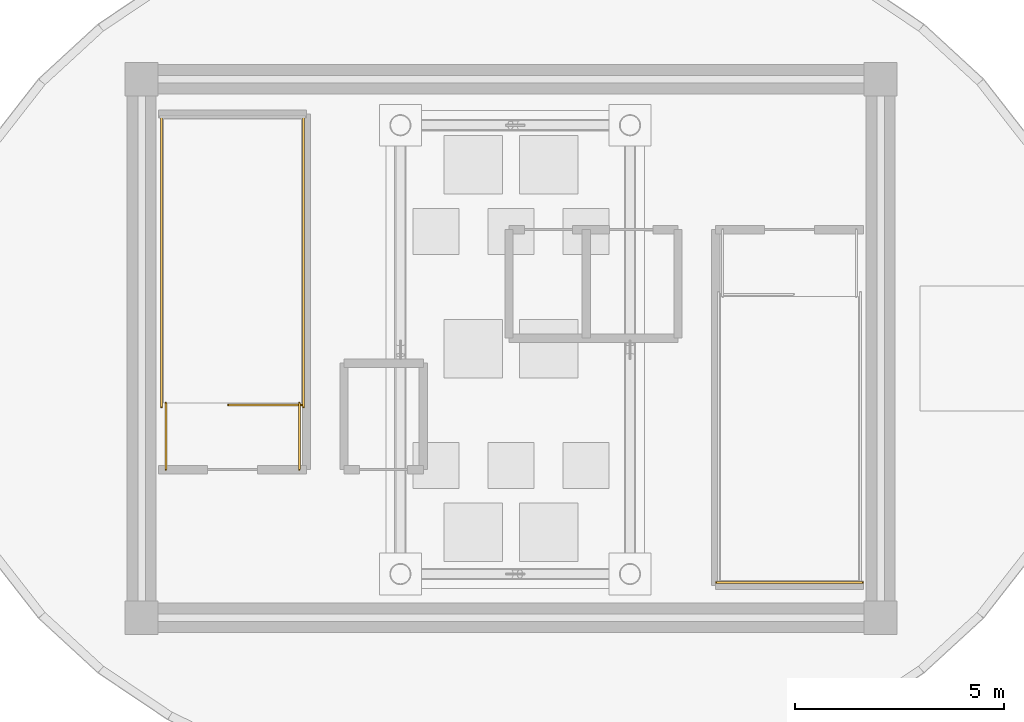
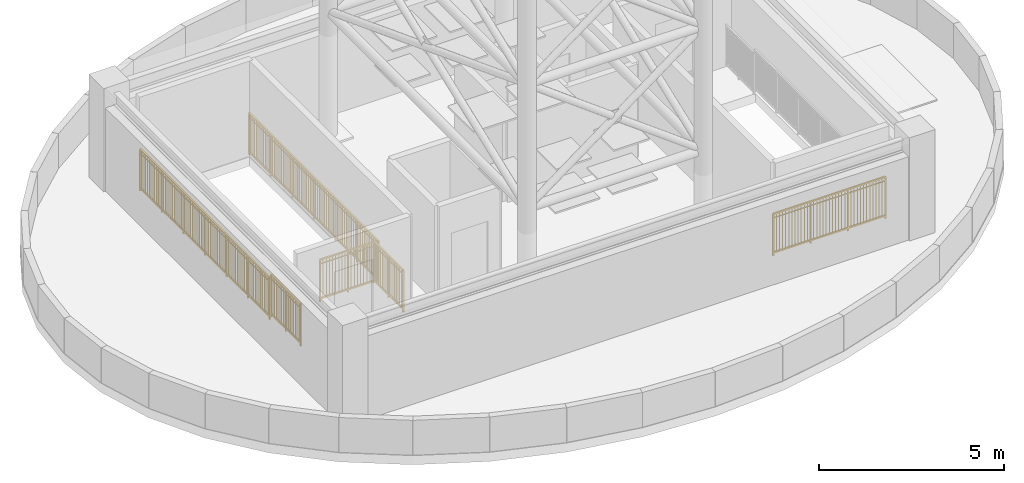
# One storey, part 5 of 6: 6 railings.
"""IFC4 building model written with IfcOpenShell, lengths in metres."""

from ifc_helpers import new_model, si_unit, direction, frame, origin, origin_2d, place, context, subcontext, project, spatial, rectangle, extrude, source, transform, mapped, material, type_object, element, save


model = new_model("IFC4")

# Units and contexts
model_context = context("Model", 3, precision=1e-05, world=origin(), true_north=direction((0.0, 1.0)))
body_context = subcontext(model_context, "Body", "Model", "MODEL_VIEW")
ifc_project = project(units=[si_unit("LENGTHUNIT", "METRE"), si_unit("AREAUNIT", "SQUARE_METRE"), si_unit("VOLUMEUNIT", "CUBIC_METRE"), si_unit("PLANEANGLEUNIT", "RADIAN"), si_unit("MASSUNIT", "GRAM", prefix="KILO")], contexts=[model_context])

# Site, building, storey
site_placement = place(None, origin())
site = spatial("IfcSite", under=ifc_project, at=site_placement, CompositionType="ELEMENT")
building_placement = place(site_placement, origin())
building = spatial("IfcBuilding", under=site, at=building_placement, Name="Linh Dai School and Residence Tower", CompositionType="ELEMENT")
storey_placement = place(building_placement, frame((0.0, 0.0, 373.199951171875)))
storey = spatial("IfcBuildingStorey", under=building, at=storey_placement, Name="RF", CompositionType="ELEMENT", Elevation=373.199951171875)

# Railings
ifc_material = material(Name="Structural Steel S355JR", Category="steel")
railing_type = type_object("IfcRailingType", Name="RL-ST-GUARD-1400", PredefinedType="GUARDRAIL", material=ifc_material)
shared_shape_1 = source(origin(), body_context, "Body", "SweptSolid", [
    extrude(rectangle(XDim=0.048095703125, YDim=0.048095703125, at=origin_2d()), frame((0.0, 0.0, 1.3759765625), z_axis=(0.0, 1.0, 0.0), x_axis=(-1.0, 0.0, 0.0)), (0.0, 0.0, 1.0), 1.599853515625),
    extrude(rectangle(XDim=0.048095703125, YDim=0.048095703125, at=origin_2d()), frame((0.0, 0.0, 0.10009765625), z_axis=(0.0, 1.0, 0.0), x_axis=(-1.0, 0.0, 0.0)), (0.0, 0.0, 1.0), 1.599853515625),
    extrude(rectangle(XDim=0.030029296875, YDim=0.030029296875, at=origin_2d()), frame((0.0, 0.0, 1.239990234375), z_axis=(0.0, 1.0, 0.0), x_axis=(-1.0, 0.0, 0.0)), (0.0, 0.0, 1.0), 1.599853515625),
    extrude(rectangle(XDim=0.02001953125, YDim=0.02001953125, at=origin_2d()), frame((0.0, 0.093994140625, 0.10009765625)), (0.0, 0.0, 1.0), 1.251708984375),
    extrude(rectangle(XDim=0.02001953125, YDim=0.02001953125, at=origin_2d()), frame((0.0, 0.188232421875, 0.10009765625)), (0.0, 0.0, 1.0), 1.251708984375),
    extrude(rectangle(XDim=0.02001953125, YDim=0.02001953125, at=origin_2d()), frame((0.0, 0.2822265625, 0.10009765625)), (0.0, 0.0, 1.0), 1.251708984375),
    extrude(rectangle(XDim=0.02001953125, YDim=0.02001953125, at=origin_2d()), frame((0.0, 0.37646484375, 0.10009765625)), (0.0, 0.0, 1.0), 1.251708984375),
    extrude(rectangle(XDim=0.02001953125, YDim=0.02001953125, at=origin_2d()), frame((0.0, 0.470458984375, 0.10009765625)), (0.0, 0.0, 1.0), 1.251708984375),
    extrude(rectangle(XDim=0.02001953125, YDim=0.02001953125, at=origin_2d()), frame((0.0, 0.564697265625, 0.10009765625)), (0.0, 0.0, 1.0), 1.251708984375),
    extrude(rectangle(XDim=0.02001953125, YDim=0.02001953125, at=origin_2d()), frame((0.0, 0.65869140625, 0.10009765625)), (0.0, 0.0, 1.0), 1.251708984375),
    extrude(rectangle(XDim=0.02001953125, YDim=0.02001953125, at=origin_2d()), frame((0.0, 0.7529296875, 0.10009765625)), (0.0, 0.0, 1.0), 1.251708984375),
    extrude(rectangle(XDim=0.02001953125, YDim=0.02001953125, at=origin_2d()), frame((0.0, 0.846923828125, 0.10009765625)), (0.0, 0.0, 1.0), 1.251708984375),
    extrude(rectangle(XDim=0.02001953125, YDim=0.02001953125, at=origin_2d()), frame((0.0, 0.941162109375, 0.10009765625)), (0.0, 0.0, 1.0), 1.251708984375),
    extrude(rectangle(XDim=0.02001953125, YDim=0.02001953125, at=origin_2d()), frame((0.0, 1.03515625, 0.10009765625)), (0.0, 0.0, 1.0), 1.251708984375),
    extrude(rectangle(XDim=0.02001953125, YDim=0.02001953125, at=origin_2d()), frame((0.0, 1.12939453125, 0.10009765625)), (0.0, 0.0, 1.0), 1.251708984375),
    extrude(rectangle(XDim=0.02001953125, YDim=0.02001953125, at=origin_2d()), frame((0.0, 1.223388671875, 0.10009765625)), (0.0, 0.0, 1.0), 1.251708984375),
    extrude(rectangle(XDim=0.02001953125, YDim=0.02001953125, at=origin_2d()), frame((0.0, 1.317626953125, 0.10009765625)), (0.0, 0.0, 1.0), 1.251708984375),
    extrude(rectangle(XDim=0.02001953125, YDim=0.02001953125, at=origin_2d()), frame((0.0, 1.41162109375, 0.10009765625)), (0.0, 0.0, 1.0), 1.251708984375),
    extrude(rectangle(XDim=0.02001953125, YDim=0.02001953125, at=origin_2d()), frame((0.0, 1.505859375, 0.10009765625)), (0.0, 0.0, 1.0), 1.251708984375),
    extrude(rectangle(XDim=0.0419921875, YDim=0.0419921875, at=origin_2d()), origin(), (0.0, 0.0, 1.0), 1.3759765625),
    extrude(rectangle(XDim=0.0419921875, YDim=0.0419921875, at=origin_2d()), frame((0.0, 0.7998046875, 0.0)), (0.0, 0.0, 1.0), 1.3759765625),
    extrude(rectangle(XDim=0.0419921875, YDim=0.0419921875, at=origin_2d()), frame((0.0, 1.599853515625, 0.0)), (0.0, 0.0, 1.0), 1.3759765625),
])
for number, where, name in (
    (1, (30.929931640625, 24.10009765625, 0.0), "RF ST1 top well guard 5"),
    (2, (27.72998046875, 24.10009765625, 0.0), "RF ST1 top well guard 6"),
):
    element("IfcRailing", number, at=place(storey_placement, frame(where)), inside=storey, type_object=railing_type, Name=name, PredefinedType="GUARDRAIL", context=body_context, shape_type="MappedRepresentation", body=[
        mapped(shared_shape_1, transform((0.0, 0.0, 0.0), x_axis=(1.0, 0.0, 0.0), y_axis=(0.0, 1.0, 0.0), z_axis=(0.0, 0.0, 1.0), scale=1.0)),
    ])
shared_shape_2 = source(origin(), body_context, "Body", "SweptSolid", [
    extrude(rectangle(XDim=0.048095703125, YDim=0.048095703125, at=origin_2d()), frame((0.0, 0.0, 1.3759765625), z_axis=(0.0, 1.0, 0.0), x_axis=(-1.0, 0.0, 0.0)), (0.0, 0.0, 1.0), 7.0),
    extrude(rectangle(XDim=0.048095703125, YDim=0.048095703125, at=origin_2d()), frame((0.0, 0.0, 0.10009765625), z_axis=(0.0, 1.0, 0.0), x_axis=(-1.0, 0.0, 0.0)), (0.0, 0.0, 1.0), 7.0),
    extrude(rectangle(XDim=0.030029296875, YDim=0.030029296875, at=origin_2d()), frame((0.0, 0.0, 1.239990234375), z_axis=(0.0, 1.0, 0.0), x_axis=(-1.0, 0.0, 0.0)), (0.0, 0.0, 1.0), 7.0),
    extrude(rectangle(XDim=0.02001953125, YDim=0.02001953125, at=origin_2d()), frame((0.0, 0.09716796875, 0.10009765625)), (0.0, 0.0, 1.0), 1.251708984375),
    extrude(rectangle(XDim=0.02001953125, YDim=0.02001953125, at=origin_2d()), frame((0.0, 0.1943359375, 0.10009765625)), (0.0, 0.0, 1.0), 1.251708984375),
    extrude(rectangle(XDim=0.02001953125, YDim=0.02001953125, at=origin_2d()), frame((0.0, 0.291748046875, 0.10009765625)), (0.0, 0.0, 1.0), 1.251708984375),
    extrude(rectangle(XDim=0.02001953125, YDim=0.02001953125, at=origin_2d()), frame((0.0, 0.388916015625, 0.10009765625)), (0.0, 0.0, 1.0), 1.251708984375),
    extrude(rectangle(XDim=0.02001953125, YDim=0.02001953125, at=origin_2d()), frame((0.0, 0.486083984375, 0.10009765625)), (0.0, 0.0, 1.0), 1.251708984375),
    extrude(rectangle(XDim=0.02001953125, YDim=0.02001953125, at=origin_2d()), frame((0.0, 0.583251953125, 0.10009765625)), (0.0, 0.0, 1.0), 1.251708984375),
    extrude(rectangle(XDim=0.02001953125, YDim=0.02001953125, at=origin_2d()), frame((0.0, 0.6806640625, 0.10009765625)), (0.0, 0.0, 1.0), 1.251708984375),
    extrude(rectangle(XDim=0.02001953125, YDim=0.02001953125, at=origin_2d()), frame((0.0, 0.77783203125, 0.10009765625)), (0.0, 0.0, 1.0), 1.251708984375),
    extrude(rectangle(XDim=0.02001953125, YDim=0.02001953125, at=origin_2d()), frame((0.0, 0.875, 0.10009765625)), (0.0, 0.0, 1.0), 1.251708984375),
    extrude(rectangle(XDim=0.02001953125, YDim=0.02001953125, at=origin_2d()), frame((0.0, 0.97216796875, 0.10009765625)), (0.0, 0.0, 1.0), 1.251708984375),
    extrude(rectangle(XDim=0.02001953125, YDim=0.02001953125, at=origin_2d()), frame((0.0, 1.0693359375, 0.10009765625)), (0.0, 0.0, 1.0), 1.251708984375),
    extrude(rectangle(XDim=0.02001953125, YDim=0.02001953125, at=origin_2d()), frame((0.0, 1.263916015625, 0.10009765625)), (0.0, 0.0, 1.0), 1.251708984375),
    extrude(rectangle(XDim=0.02001953125, YDim=0.02001953125, at=origin_2d()), frame((0.0, 1.361083984375, 0.10009765625)), (0.0, 0.0, 1.0), 1.251708984375),
    extrude(rectangle(XDim=0.02001953125, YDim=0.02001953125, at=origin_2d()), frame((0.0, 1.458251953125, 0.10009765625)), (0.0, 0.0, 1.0), 1.251708984375),
    extrude(rectangle(XDim=0.02001953125, YDim=0.02001953125, at=origin_2d()), frame((0.0, 1.5556640625, 0.10009765625)), (0.0, 0.0, 1.0), 1.251708984375),
    extrude(rectangle(XDim=0.02001953125, YDim=0.02001953125, at=origin_2d()), frame((0.0, 1.65283203125, 0.10009765625)), (0.0, 0.0, 1.0), 1.251708984375),
    extrude(rectangle(XDim=0.02001953125, YDim=0.02001953125, at=origin_2d()), frame((0.0, 1.75, 0.10009765625)), (0.0, 0.0, 1.0), 1.251708984375),
    extrude(rectangle(XDim=0.02001953125, YDim=0.02001953125, at=origin_2d()), frame((0.0, 1.84716796875, 0.10009765625)), (0.0, 0.0, 1.0), 1.251708984375),
    extrude(rectangle(XDim=0.02001953125, YDim=0.02001953125, at=origin_2d()), frame((0.0, 1.9443359375, 0.10009765625)), (0.0, 0.0, 1.0), 1.251708984375),
    extrude(rectangle(XDim=0.02001953125, YDim=0.02001953125, at=origin_2d()), frame((0.0, 2.041748046875, 0.10009765625)), (0.0, 0.0, 1.0), 1.251708984375),
    extrude(rectangle(XDim=0.02001953125, YDim=0.02001953125, at=origin_2d()), frame((0.0, 2.138916015625, 0.10009765625)), (0.0, 0.0, 1.0), 1.251708984375),
    extrude(rectangle(XDim=0.02001953125, YDim=0.02001953125, at=origin_2d()), frame((0.0, 2.236083984375, 0.10009765625)), (0.0, 0.0, 1.0), 1.251708984375),
    extrude(rectangle(XDim=0.02001953125, YDim=0.02001953125, at=origin_2d()), frame((0.0, 2.4306640625, 0.10009765625)), (0.0, 0.0, 1.0), 1.251708984375),
    extrude(rectangle(XDim=0.02001953125, YDim=0.02001953125, at=origin_2d()), frame((0.0, 2.52783203125, 0.10009765625)), (0.0, 0.0, 1.0), 1.251708984375),
    extrude(rectangle(XDim=0.02001953125, YDim=0.02001953125, at=origin_2d()), frame((0.0, 2.625, 0.10009765625)), (0.0, 0.0, 1.0), 1.251708984375),
    extrude(rectangle(XDim=0.02001953125, YDim=0.02001953125, at=origin_2d()), frame((0.0, 2.72216796875, 0.10009765625)), (0.0, 0.0, 1.0), 1.251708984375),
    extrude(rectangle(XDim=0.02001953125, YDim=0.02001953125, at=origin_2d()), frame((0.0, 2.8193359375, 0.10009765625)), (0.0, 0.0, 1.0), 1.251708984375),
    extrude(rectangle(XDim=0.02001953125, YDim=0.02001953125, at=origin_2d()), frame((0.0, 2.916748046875, 0.10009765625)), (0.0, 0.0, 1.0), 1.251708984375),
    extrude(rectangle(XDim=0.02001953125, YDim=0.02001953125, at=origin_2d()), frame((0.0, 3.013916015625, 0.10009765625)), (0.0, 0.0, 1.0), 1.251708984375),
    extrude(rectangle(XDim=0.02001953125, YDim=0.02001953125, at=origin_2d()), frame((0.0, 3.111083984375, 0.10009765625)), (0.0, 0.0, 1.0), 1.251708984375),
    extrude(rectangle(XDim=0.02001953125, YDim=0.02001953125, at=origin_2d()), frame((0.0, 3.208251953125, 0.10009765625)), (0.0, 0.0, 1.0), 1.251708984375),
    extrude(rectangle(XDim=0.02001953125, YDim=0.02001953125, at=origin_2d()), frame((0.0, 3.3056640625, 0.10009765625)), (0.0, 0.0, 1.0), 1.251708984375),
    extrude(rectangle(XDim=0.02001953125, YDim=0.02001953125, at=origin_2d()), frame((0.0, 3.40283203125, 0.10009765625)), (0.0, 0.0, 1.0), 1.251708984375),
    extrude(rectangle(XDim=0.02001953125, YDim=0.02001953125, at=origin_2d()), frame((0.0, 3.59716796875, 0.10009765625)), (0.0, 0.0, 1.0), 1.251708984375),
    extrude(rectangle(XDim=0.02001953125, YDim=0.02001953125, at=origin_2d()), frame((0.0, 3.6943359375, 0.10009765625)), (0.0, 0.0, 1.0), 1.251708984375),
    extrude(rectangle(XDim=0.02001953125, YDim=0.02001953125, at=origin_2d()), frame((0.0, 3.791748046875, 0.10009765625)), (0.0, 0.0, 1.0), 1.251708984375),
    extrude(rectangle(XDim=0.02001953125, YDim=0.02001953125, at=origin_2d()), frame((0.0, 3.888916015625, 0.10009765625)), (0.0, 0.0, 1.0), 1.251708984375),
    extrude(rectangle(XDim=0.02001953125, YDim=0.02001953125, at=origin_2d()), frame((0.0, 3.986083984375, 0.10009765625)), (0.0, 0.0, 1.0), 1.251708984375),
    extrude(rectangle(XDim=0.02001953125, YDim=0.02001953125, at=origin_2d()), frame((0.0, 4.083251953125, 0.10009765625)), (0.0, 0.0, 1.0), 1.251708984375),
    extrude(rectangle(XDim=0.02001953125, YDim=0.02001953125, at=origin_2d()), frame((0.0, 4.1806640625, 0.10009765625)), (0.0, 0.0, 1.0), 1.251708984375),
    extrude(rectangle(XDim=0.02001953125, YDim=0.02001953125, at=origin_2d()), frame((0.0, 4.27783203125, 0.10009765625)), (0.0, 0.0, 1.0), 1.251708984375),
    extrude(rectangle(XDim=0.02001953125, YDim=0.02001953125, at=origin_2d()), frame((0.0, 4.375, 0.10009765625)), (0.0, 0.0, 1.0), 1.251708984375),
    extrude(rectangle(XDim=0.02001953125, YDim=0.02001953125, at=origin_2d()), frame((0.0, 4.47216796875, 0.10009765625)), (0.0, 0.0, 1.0), 1.251708984375),
    extrude(rectangle(XDim=0.02001953125, YDim=0.02001953125, at=origin_2d()), frame((0.0, 4.5693359375, 0.10009765625)), (0.0, 0.0, 1.0), 1.251708984375),
    extrude(rectangle(XDim=0.02001953125, YDim=0.02001953125, at=origin_2d()), frame((0.0, 4.763916015625, 0.10009765625)), (0.0, 0.0, 1.0), 1.251708984375),
    extrude(rectangle(XDim=0.02001953125, YDim=0.02001953125, at=origin_2d()), frame((0.0, 4.861083984375, 0.10009765625)), (0.0, 0.0, 1.0), 1.251708984375),
    extrude(rectangle(XDim=0.02001953125, YDim=0.02001953125, at=origin_2d()), frame((0.0, 4.958251953125, 0.10009765625)), (0.0, 0.0, 1.0), 1.251708984375),
    extrude(rectangle(XDim=0.02001953125, YDim=0.02001953125, at=origin_2d()), frame((0.0, 5.0556640625, 0.10009765625)), (0.0, 0.0, 1.0), 1.251708984375),
    extrude(rectangle(XDim=0.02001953125, YDim=0.02001953125, at=origin_2d()), frame((0.0, 5.15283203125, 0.10009765625)), (0.0, 0.0, 1.0), 1.251708984375),
    extrude(rectangle(XDim=0.02001953125, YDim=0.02001953125, at=origin_2d()), frame((0.0, 5.25, 0.10009765625)), (0.0, 0.0, 1.0), 1.251708984375),
    extrude(rectangle(XDim=0.02001953125, YDim=0.02001953125, at=origin_2d()), frame((0.0, 5.34716796875, 0.10009765625)), (0.0, 0.0, 1.0), 1.251708984375),
    extrude(rectangle(XDim=0.02001953125, YDim=0.02001953125, at=origin_2d()), frame((0.0, 5.4443359375, 0.10009765625)), (0.0, 0.0, 1.0), 1.251708984375),
    extrude(rectangle(XDim=0.02001953125, YDim=0.02001953125, at=origin_2d()), frame((0.0, 5.541748046875, 0.10009765625)), (0.0, 0.0, 1.0), 1.251708984375),
    extrude(rectangle(XDim=0.02001953125, YDim=0.02001953125, at=origin_2d()), frame((0.0, 5.638916015625, 0.10009765625)), (0.0, 0.0, 1.0), 1.251708984375),
    extrude(rectangle(XDim=0.02001953125, YDim=0.02001953125, at=origin_2d()), frame((0.0, 5.736083984375, 0.10009765625)), (0.0, 0.0, 1.0), 1.251708984375),
    extrude(rectangle(XDim=0.02001953125, YDim=0.02001953125, at=origin_2d()), frame((0.0, 5.9306640625, 0.10009765625)), (0.0, 0.0, 1.0), 1.251708984375),
    extrude(rectangle(XDim=0.02001953125, YDim=0.02001953125, at=origin_2d()), frame((0.0, 6.02783203125, 0.10009765625)), (0.0, 0.0, 1.0), 1.251708984375),
    extrude(rectangle(XDim=0.02001953125, YDim=0.02001953125, at=origin_2d()), frame((0.0, 6.125, 0.10009765625)), (0.0, 0.0, 1.0), 1.251708984375),
    extrude(rectangle(XDim=0.02001953125, YDim=0.02001953125, at=origin_2d()), frame((0.0, 6.22216796875, 0.10009765625)), (0.0, 0.0, 1.0), 1.251708984375),
    extrude(rectangle(XDim=0.02001953125, YDim=0.02001953125, at=origin_2d()), frame((0.0, 6.3193359375, 0.10009765625)), (0.0, 0.0, 1.0), 1.251708984375),
    extrude(rectangle(XDim=0.02001953125, YDim=0.02001953125, at=origin_2d()), frame((0.0, 6.416748046875, 0.10009765625)), (0.0, 0.0, 1.0), 1.251708984375),
    extrude(rectangle(XDim=0.02001953125, YDim=0.02001953125, at=origin_2d()), frame((0.0, 6.513916015625, 0.10009765625)), (0.0, 0.0, 1.0), 1.251708984375),
    extrude(rectangle(XDim=0.02001953125, YDim=0.02001953125, at=origin_2d()), frame((0.0, 6.611083984375, 0.10009765625)), (0.0, 0.0, 1.0), 1.251708984375),
    extrude(rectangle(XDim=0.02001953125, YDim=0.02001953125, at=origin_2d()), frame((0.0, 6.708251953125, 0.10009765625)), (0.0, 0.0, 1.0), 1.251708984375),
    extrude(rectangle(XDim=0.02001953125, YDim=0.02001953125, at=origin_2d()), frame((0.0, 6.8056640625, 0.10009765625)), (0.0, 0.0, 1.0), 1.251708984375),
    extrude(rectangle(XDim=0.02001953125, YDim=0.02001953125, at=origin_2d()), frame((0.0, 6.90283203125, 0.10009765625)), (0.0, 0.0, 1.0), 1.251708984375),
    extrude(rectangle(XDim=0.0419921875, YDim=0.0419921875, at=origin_2d()), origin(), (0.0, 0.0, 1.0), 1.3759765625),
    extrude(rectangle(XDim=0.0419921875, YDim=0.0419921875, at=origin_2d()), frame((0.0, 1.166748046875, 0.0)), (0.0, 0.0, 1.0), 1.3759765625),
    extrude(rectangle(XDim=0.0419921875, YDim=0.0419921875, at=origin_2d()), frame((0.0, 2.333251953125, 0.0)), (0.0, 0.0, 1.0), 1.3759765625),
    extrude(rectangle(XDim=0.0419921875, YDim=0.0419921875, at=origin_2d()), frame((0.0, 3.5, 0.0)), (0.0, 0.0, 1.0), 1.3759765625),
    extrude(rectangle(XDim=0.0419921875, YDim=0.0419921875, at=origin_2d()), frame((0.0, 4.666748046875, 0.0)), (0.0, 0.0, 1.0), 1.3759765625),
    extrude(rectangle(XDim=0.0419921875, YDim=0.0419921875, at=origin_2d()), frame((0.0, 5.833251953125, 0.0)), (0.0, 0.0, 1.0), 1.3759765625),
    extrude(rectangle(XDim=0.0419921875, YDim=0.0419921875, at=origin_2d()), frame((0.0, 7.0, 0.0)), (0.0, 0.0, 1.0), 1.3759765625),
])
for number, where, name in (
    (3, (31.030029296875, 25.60009765625, 0.0), "RF ST1 top well guard 2"),
    (4, (27.6298828125, 25.60009765625, 0.0), "RF ST1 top well guard 3"),
):
    element("IfcRailing", number, at=place(storey_placement, frame(where)), inside=storey, type_object=railing_type, Name=name, PredefinedType="GUARDRAIL", context=body_context, shape_type="MappedRepresentation", body=[
        mapped(shared_shape_2, transform((0.0, 0.0, 0.0), x_axis=(1.0, 0.0, 0.0), y_axis=(0.0, 1.0, 0.0), z_axis=(0.0, 0.0, 1.0), scale=1.0)),
    ])
shared_shape_3 = source(origin(), body_context, "Body", "SweptSolid", [
    extrude(rectangle(XDim=0.048095703125, YDim=0.048095703125, at=origin_2d()), frame((0.0, 0.0, 1.3759765625), z_axis=(-1.0, 0.0, 0.0), x_axis=(0.0, -1.0, 0.0)), (0.0, 0.0, 1.0), 1.75),
    extrude(rectangle(XDim=0.048095703125, YDim=0.048095703125, at=origin_2d()), frame((0.0, 0.0, 0.10009765625), z_axis=(-1.0, 0.0, 0.0), x_axis=(0.0, -1.0, 0.0)), (0.0, 0.0, 1.0), 1.75),
    extrude(rectangle(XDim=0.030029296875, YDim=0.030029296875, at=origin_2d()), frame((0.0, 0.0, 1.239990234375), z_axis=(-1.0, 0.0, 0.0), x_axis=(0.0, -1.0, 0.0)), (0.0, 0.0, 1.0), 1.75),
    extrude(rectangle(XDim=0.02001953125, YDim=0.02001953125, at=origin_2d()), frame((-0.09716796875, 0.0, 0.10009765625)), (0.0, 0.0, 1.0), 1.251708984375),
    extrude(rectangle(XDim=0.02001953125, YDim=0.02001953125, at=origin_2d()), frame((-0.1943359375, 0.0, 0.10009765625)), (0.0, 0.0, 1.0), 1.251708984375),
    extrude(rectangle(XDim=0.02001953125, YDim=0.02001953125, at=origin_2d()), frame((-0.291748046875, 0.0, 0.10009765625)), (0.0, 0.0, 1.0), 1.251708984375),
    extrude(rectangle(XDim=0.02001953125, YDim=0.02001953125, at=origin_2d()), frame((-0.388916015625, 0.0, 0.10009765625)), (0.0, 0.0, 1.0), 1.251708984375),
    extrude(rectangle(XDim=0.02001953125, YDim=0.02001953125, at=origin_2d()), frame((-0.486083984375, 0.0, 0.10009765625)), (0.0, 0.0, 1.0), 1.251708984375),
    extrude(rectangle(XDim=0.02001953125, YDim=0.02001953125, at=origin_2d()), frame((-0.583251953125, 0.0, 0.10009765625)), (0.0, 0.0, 1.0), 1.251708984375),
    extrude(rectangle(XDim=0.02001953125, YDim=0.02001953125, at=origin_2d()), frame((-0.6806640625, 0.0, 0.10009765625)), (0.0, 0.0, 1.0), 1.251708984375),
    extrude(rectangle(XDim=0.02001953125, YDim=0.02001953125, at=origin_2d()), frame((-0.77783203125, 0.0, 0.10009765625)), (0.0, 0.0, 1.0), 1.251708984375),
    extrude(rectangle(XDim=0.02001953125, YDim=0.02001953125, at=origin_2d()), frame((-0.97216796875, 0.0, 0.10009765625)), (0.0, 0.0, 1.0), 1.251708984375),
    extrude(rectangle(XDim=0.02001953125, YDim=0.02001953125, at=origin_2d()), frame((-1.0693359375, 0.0, 0.10009765625)), (0.0, 0.0, 1.0), 1.251708984375),
    extrude(rectangle(XDim=0.02001953125, YDim=0.02001953125, at=origin_2d()), frame((-1.166748046875, 0.0, 0.10009765625)), (0.0, 0.0, 1.0), 1.251708984375),
    extrude(rectangle(XDim=0.02001953125, YDim=0.02001953125, at=origin_2d()), frame((-1.263916015625, 0.0, 0.10009765625)), (0.0, 0.0, 1.0), 1.251708984375),
    extrude(rectangle(XDim=0.02001953125, YDim=0.02001953125, at=origin_2d()), frame((-1.361083984375, 0.0, 0.10009765625)), (0.0, 0.0, 1.0), 1.251708984375),
    extrude(rectangle(XDim=0.02001953125, YDim=0.02001953125, at=origin_2d()), frame((-1.458251953125, 0.0, 0.10009765625)), (0.0, 0.0, 1.0), 1.251708984375),
    extrude(rectangle(XDim=0.02001953125, YDim=0.02001953125, at=origin_2d()), frame((-1.5556640625, 0.0, 0.10009765625)), (0.0, 0.0, 1.0), 1.251708984375),
    extrude(rectangle(XDim=0.02001953125, YDim=0.02001953125, at=origin_2d()), frame((-1.65283203125, 0.0, 0.10009765625)), (0.0, 0.0, 1.0), 1.251708984375),
    extrude(rectangle(XDim=0.0419921875, YDim=0.0419921875, at=origin_2d()), origin(), (0.0, 0.0, 1.0), 1.3759765625),
    extrude(rectangle(XDim=0.0419921875, YDim=0.0419921875, at=origin_2d()), frame((-0.875, 0.0, 0.0)), (0.0, 0.0, 1.0), 1.3759765625),
    extrude(rectangle(XDim=0.0419921875, YDim=0.0419921875, at=origin_2d()), frame((-1.75, 0.0, 0.0)), (0.0, 0.0, 1.0), 1.3759765625),
])
railing_1_placement = place(storey_placement, frame((30.97998046875, 25.64990234375, 0.0)))
element("IfcRailing", 5, at=railing_1_placement, inside=storey, type_object=railing_type, Name="RF ST1 top well guard 1", PredefinedType="GUARDRAIL", context=body_context, shape_type="MappedRepresentation", body=[
    mapped(shared_shape_3, transform((0.0, 0.0, 0.0), x_axis=(1.0, 0.0, 0.0), y_axis=(0.0, 1.0, 0.0), z_axis=(0.0, 0.0, 1.0), scale=1.0)),
])
shared_shape_4 = source(origin(), body_context, "Body", "SweptSolid", [
    extrude(rectangle(XDim=0.048095703125, YDim=0.048095703125, at=origin_2d()), frame((0.0, 0.0, 1.3759765625), z_axis=(1.0, 0.0, 0.0), x_axis=(0.0, 1.0, 0.0)), (0.0, 0.0, 1.0), 3.5),
    extrude(rectangle(XDim=0.048095703125, YDim=0.048095703125, at=origin_2d()), frame((0.0, 0.0, 0.10009765625), z_axis=(1.0, 0.0, 0.0), x_axis=(0.0, 1.0, 0.0)), (0.0, 0.0, 1.0), 3.5),
    extrude(rectangle(XDim=0.030029296875, YDim=0.030029296875, at=origin_2d()), frame((0.0, 0.0, 1.239990234375), z_axis=(1.0, 0.0, 0.0), x_axis=(0.0, 1.0, 0.0)), (0.0, 0.0, 1.0), 3.5),
    extrude(rectangle(XDim=0.02001953125, YDim=0.02001953125, at=origin_2d()), frame((0.09716796875, 0.0, 0.10009765625)), (0.0, 0.0, 1.0), 1.251708984375),
    extrude(rectangle(XDim=0.02001953125, YDim=0.02001953125, at=origin_2d()), frame((0.1943359375, 0.0, 0.10009765625)), (0.0, 0.0, 1.0), 1.251708984375),
    extrude(rectangle(XDim=0.02001953125, YDim=0.02001953125, at=origin_2d()), frame((0.291748046875, 0.0, 0.10009765625)), (0.0, 0.0, 1.0), 1.251708984375),
    extrude(rectangle(XDim=0.02001953125, YDim=0.02001953125, at=origin_2d()), frame((0.388916015625, 0.0, 0.10009765625)), (0.0, 0.0, 1.0), 1.251708984375),
    extrude(rectangle(XDim=0.02001953125, YDim=0.02001953125, at=origin_2d()), frame((0.486083984375, 0.0, 0.10009765625)), (0.0, 0.0, 1.0), 1.251708984375),
    extrude(rectangle(XDim=0.02001953125, YDim=0.02001953125, at=origin_2d()), frame((0.583251953125, 0.0, 0.10009765625)), (0.0, 0.0, 1.0), 1.251708984375),
    extrude(rectangle(XDim=0.02001953125, YDim=0.02001953125, at=origin_2d()), frame((0.6806640625, 0.0, 0.10009765625)), (0.0, 0.0, 1.0), 1.251708984375),
    extrude(rectangle(XDim=0.02001953125, YDim=0.02001953125, at=origin_2d()), frame((0.77783203125, 0.0, 0.10009765625)), (0.0, 0.0, 1.0), 1.251708984375),
    extrude(rectangle(XDim=0.02001953125, YDim=0.02001953125, at=origin_2d()), frame((0.875, 0.0, 0.10009765625)), (0.0, 0.0, 1.0), 1.251708984375),
    extrude(rectangle(XDim=0.02001953125, YDim=0.02001953125, at=origin_2d()), frame((0.97216796875, 0.0, 0.10009765625)), (0.0, 0.0, 1.0), 1.251708984375),
    extrude(rectangle(XDim=0.02001953125, YDim=0.02001953125, at=origin_2d()), frame((1.0693359375, 0.0, 0.10009765625)), (0.0, 0.0, 1.0), 1.251708984375),
    extrude(rectangle(XDim=0.02001953125, YDim=0.02001953125, at=origin_2d()), frame((1.263916015625, 0.0, 0.10009765625)), (0.0, 0.0, 1.0), 1.251708984375),
    extrude(rectangle(XDim=0.02001953125, YDim=0.02001953125, at=origin_2d()), frame((1.361083984375, 0.0, 0.10009765625)), (0.0, 0.0, 1.0), 1.251708984375),
    extrude(rectangle(XDim=0.02001953125, YDim=0.02001953125, at=origin_2d()), frame((1.458251953125, 0.0, 0.10009765625)), (0.0, 0.0, 1.0), 1.251708984375),
    extrude(rectangle(XDim=0.02001953125, YDim=0.02001953125, at=origin_2d()), frame((1.5556640625, 0.0, 0.10009765625)), (0.0, 0.0, 1.0), 1.251708984375),
    extrude(rectangle(XDim=0.02001953125, YDim=0.02001953125, at=origin_2d()), frame((1.65283203125, 0.0, 0.10009765625)), (0.0, 0.0, 1.0), 1.251708984375),
    extrude(rectangle(XDim=0.02001953125, YDim=0.02001953125, at=origin_2d()), frame((1.75, 0.0, 0.10009765625)), (0.0, 0.0, 1.0), 1.251708984375),
    extrude(rectangle(XDim=0.02001953125, YDim=0.02001953125, at=origin_2d()), frame((1.84716796875, 0.0, 0.10009765625)), (0.0, 0.0, 1.0), 1.251708984375),
    extrude(rectangle(XDim=0.02001953125, YDim=0.02001953125, at=origin_2d()), frame((1.9443359375, 0.0, 0.10009765625)), (0.0, 0.0, 1.0), 1.251708984375),
    extrude(rectangle(XDim=0.02001953125, YDim=0.02001953125, at=origin_2d()), frame((2.041748046875, 0.0, 0.10009765625)), (0.0, 0.0, 1.0), 1.251708984375),
    extrude(rectangle(XDim=0.02001953125, YDim=0.02001953125, at=origin_2d()), frame((2.138916015625, 0.0, 0.10009765625)), (0.0, 0.0, 1.0), 1.251708984375),
    extrude(rectangle(XDim=0.02001953125, YDim=0.02001953125, at=origin_2d()), frame((2.236083984375, 0.0, 0.10009765625)), (0.0, 0.0, 1.0), 1.251708984375),
    extrude(rectangle(XDim=0.02001953125, YDim=0.02001953125, at=origin_2d()), frame((2.4306640625, 0.0, 0.10009765625)), (0.0, 0.0, 1.0), 1.251708984375),
    extrude(rectangle(XDim=0.02001953125, YDim=0.02001953125, at=origin_2d()), frame((2.52783203125, 0.0, 0.10009765625)), (0.0, 0.0, 1.0), 1.251708984375),
    extrude(rectangle(XDim=0.02001953125, YDim=0.02001953125, at=origin_2d()), frame((2.625, 0.0, 0.10009765625)), (0.0, 0.0, 1.0), 1.251708984375),
    extrude(rectangle(XDim=0.02001953125, YDim=0.02001953125, at=origin_2d()), frame((2.72216796875, 0.0, 0.10009765625)), (0.0, 0.0, 1.0), 1.251708984375),
    extrude(rectangle(XDim=0.02001953125, YDim=0.02001953125, at=origin_2d()), frame((2.8193359375, 0.0, 0.10009765625)), (0.0, 0.0, 1.0), 1.251708984375),
    extrude(rectangle(XDim=0.02001953125, YDim=0.02001953125, at=origin_2d()), frame((2.916748046875, 0.0, 0.10009765625)), (0.0, 0.0, 1.0), 1.251708984375),
    extrude(rectangle(XDim=0.02001953125, YDim=0.02001953125, at=origin_2d()), frame((3.013916015625, 0.0, 0.10009765625)), (0.0, 0.0, 1.0), 1.251708984375),
    extrude(rectangle(XDim=0.02001953125, YDim=0.02001953125, at=origin_2d()), frame((3.111083984375, 0.0, 0.10009765625)), (0.0, 0.0, 1.0), 1.251708984375),
    extrude(rectangle(XDim=0.02001953125, YDim=0.02001953125, at=origin_2d()), frame((3.208251953125, 0.0, 0.10009765625)), (0.0, 0.0, 1.0), 1.251708984375),
    extrude(rectangle(XDim=0.02001953125, YDim=0.02001953125, at=origin_2d()), frame((3.3056640625, 0.0, 0.10009765625)), (0.0, 0.0, 1.0), 1.251708984375),
    extrude(rectangle(XDim=0.02001953125, YDim=0.02001953125, at=origin_2d()), frame((3.40283203125, 0.0, 0.10009765625)), (0.0, 0.0, 1.0), 1.251708984375),
    extrude(rectangle(XDim=0.0419921875, YDim=0.0419921875, at=origin_2d()), origin(), (0.0, 0.0, 1.0), 1.3759765625),
    extrude(rectangle(XDim=0.0419921875, YDim=0.0419921875, at=origin_2d()), frame((1.166748046875, 0.0, 0.0)), (0.0, 0.0, 1.0), 1.3759765625),
    extrude(rectangle(XDim=0.0419921875, YDim=0.0419921875, at=origin_2d()), frame((2.333251953125, 0.0, 0.0)), (0.0, 0.0, 1.0), 1.3759765625),
    extrude(rectangle(XDim=0.0419921875, YDim=0.0419921875, at=origin_2d()), frame((3.5, 0.0, 0.0)), (0.0, 0.0, 1.0), 1.3759765625),
])
railing_2_placement = place(storey_placement, frame((40.919921875, 21.39990234375, 0.0)))
element("IfcRailing", 6, at=railing_2_placement, inside=storey, type_object=railing_type, Name="RF ST2 top well guard 4", PredefinedType="GUARDRAIL", context=body_context, shape_type="MappedRepresentation", body=[
    mapped(shared_shape_4, transform((0.0, 0.0, 0.0), x_axis=(1.0, 0.0, 0.0), y_axis=(0.0, 1.0, 0.0), z_axis=(0.0, 0.0, 1.0), scale=1.0)),
])

save(model, "model.ifc")
